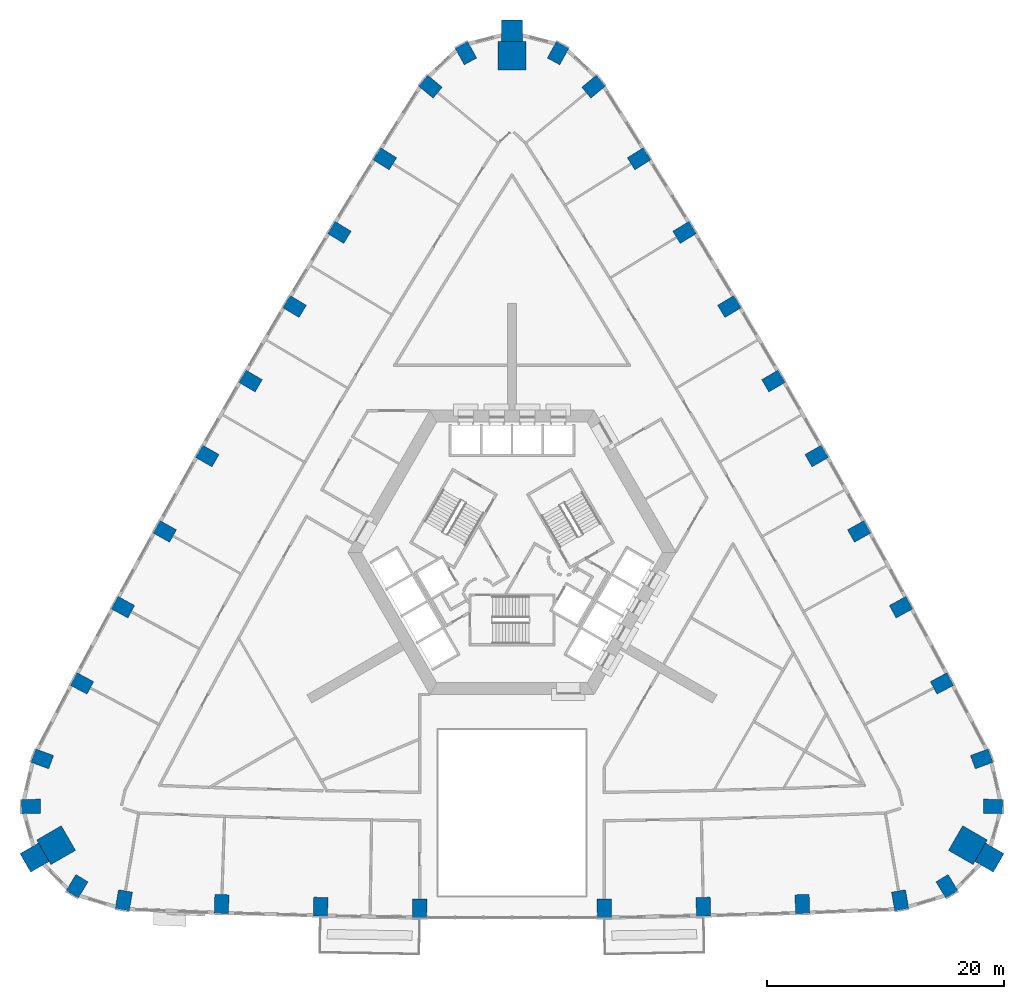
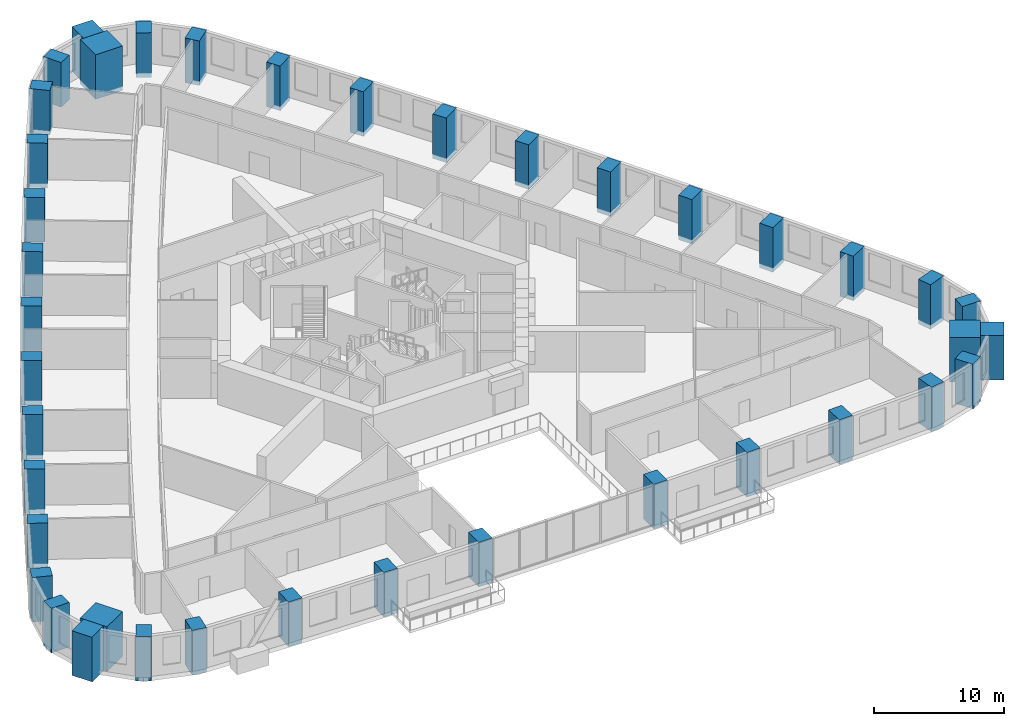
# One storey, part 1 of 15: 40 columns.
"""IFC4 building model written with IfcOpenShell, lengths in metres."""

from ifc_helpers import new_model, si_unit, direction, frame, origin, origin_2d, place, context, subcontext, project, spatial, rectangle, extrude, material, material_profile, profile_set, type_object, element, save


model = new_model("IFC4")

# Units and contexts
model_context = context("Model", 3, precision=1e-05, world=origin(), true_north=direction((0.0, 1.0)))
body_context = subcontext(model_context, "Body", "Model", "MODEL_VIEW")
ifc_project = project(units=[si_unit("LENGTHUNIT", "METRE"), si_unit("AREAUNIT", "SQUARE_METRE"), si_unit("VOLUMEUNIT", "CUBIC_METRE"), si_unit("PLANEANGLEUNIT", "RADIAN"), si_unit("MASSUNIT", "GRAM", prefix="KILO")], contexts=[model_context])

# Site, building, storey
site_placement = place(None, origin())
site = spatial("IfcSite", under=ifc_project, at=site_placement, CompositionType="ELEMENT")
building_placement = place(site_placement, origin())
building = spatial("IfcBuilding", under=site, at=building_placement, Name="Entoto Arch Interchange Tower", CompositionType="ELEMENT")
storey_placement = place(building_placement, frame((0.0, 0.0, 39.199951171875)))
storey = spatial("IfcBuildingStorey", under=building, at=storey_placement, Name="L07", CompositionType="ELEMENT", Elevation=39.199951171875)

# Columns
ifc_material_1 = material(Name="Concrete C60/75", Category="concrete")
ifc_material_profile_1 = material_profile(ifc_material_1, rectangle(XDim=1.199951171875, YDim=1.60009765625, at=origin_2d()))
ifc_profile_set_1 = profile_set([ifc_material_profile_1], Name="Concrete C60/75")
column_type_1 = type_object("IfcColumnType", Name="Column RC 1200x1600 C60/75", PredefinedType="COLUMN", material=ifc_profile_set_1)
for number, where, z_axis, x_axis, name in (
    (1, (-32.760986328125, -26.87109375, -0.39990234375), (0.0, 0.0, 1.0), (-0.98600476771, 0.166717119856, 0.0), "Column S01 L07"),
    (2, (-24.510009765625, -27.18798828125, -0.39990234375), (0.0, 0.0, 1.0), (-0.999434480961, 0.033626154508, 0.0), "Column S02 L07"),
    (3, (-16.14990234375, -27.4208984375, -0.39990234375), (0.0, 0.0, 1.0), (-0.99975435134, 0.022163866481, 0.0), "Column S03 L07"),
    (4, (-7.79296875, -27.55810546875, -0.39990234375), (0.0, 0.0, 1.0), (-0.999966355195, 0.008202955488, 0.0), "Column S04 L07"),
    (5, (7.79296875, -27.55810546875, -0.39990234375), (0.0, 0.0, 1.0), (0.999966355195, 0.008202955488, 0.0), "Column S05 L07"),
    (6, (16.14990234375, -27.4208984375, -0.39990234375), (0.0, 0.0, 1.0), (0.99975435134, 0.022163866481, 0.0), "Column S06 L07"),
    (7, (24.510009765625, -27.18798828125, -0.39990234375), (0.0, 0.0, 1.0), (0.999434480961, 0.033626154508, 0.0), "Column S07 L07"),
    (8, (32.760986328125, -26.87109375, -0.39990234375), (0.0, 0.0, 1.0), (0.98600476771, 0.166717119856, 0.0), "Column S08 L07"),
    (9, (36.7119140625, -25.68798828125, -0.39990234375), (0.0, 0.0, 1.0), (0.854522294989, 0.519414716163, 0.0), "Column SE1 L07"),
    (10, (40.60302734375, -18.949951171875, -0.39990234375), (0.0, 0.0, 1.0), (0.022565191802, 0.999745373642, 0.0), "Column SE3 L07"),
    (11, (39.64990234375, -14.93603515625, -0.39990234375), (0.0, 0.0, 1.0), (-0.348277574304, 0.937391450375, 0.0), "Column NE01 L07"),
    (12, (36.298095703125, -8.56689453125, -0.39990234375), (0.0, 0.0, 1.0), (-0.46931745221, 0.883029517656, 0.0), "Column NE02 L07"),
    (13, (32.8369140625, -2.132080078125, -0.39990234375), (0.0, 0.0, 1.0), (-0.478140110514, 0.878283573066, 0.0), "Column NE03 L07"),
    (14, (29.31103515625, 4.26708984375, -0.39990234375), (0.0, 0.0, 1.0), (-0.486914781103, 0.873449481048, 0.0), "Column NE04 L07"),
    (15, (25.720947265625, 10.632080078125, -0.39990234375), (0.0, 0.0, 1.0), (-0.495655741916, 0.868519076074, 0.0), "Column NE05 L07"),
    (16, (22.068115234375, 16.958984375, -0.39990234375), (0.0, 0.0, 1.0), (-0.504331712594, 0.863510002068, 0.0), "Column NE06 L07"),
    (17, (18.35009765625, 23.25, -0.39990234375), (0.0, 0.0, 1.0), (-0.512972048958, 0.858405310438, 0.0), "Column NE07 L07"),
    (18, (14.571044921875, 29.50390625, -0.39990234375), (0.0, 0.0, 1.0), (-0.521545830745, 0.853223268806, 0.0), "Column NE08 L07"),
    (19, (10.72900390625, 35.718994140625, -0.39990234375), (0.0, 0.0, 1.0), (-0.530067268476, 0.847955594881, 0.0), "Column NE09 L07"),
    (20, (6.889892578125, 41.805908203125, -0.39990234375), (0.0, 0.0, 1.0), (-0.637666022163, 0.770312952103, 0.0), "Column NE10 L07"),
    (21, (3.89111328125, 44.637939453125, -0.39990234375), (0.0, 0.0, 1.0), (-0.877079103306, 0.48034596547, 0.0), "Column N1 L07"),
    (22, (-3.89111328125, 44.637939453125, -0.39990234375), (0.0, 0.0, 1.0), (0.877079103306, 0.48034596547, 0.0), "Column N3 L07"),
    (23, (-6.889892578125, 41.805908203125, -0.39990234375), (0.0, 0.0, 1.0), (0.637666022163, 0.770312952103, 0.0), "Column NW01 L07"),
    (24, (-10.72900390625, 35.718994140625, -0.39990234375), (0.0, 0.0, 1.0), (0.530067268476, 0.847955594881, 0.0), "Column NW02 L07"),
    (25, (-14.571044921875, 29.50390625, -0.39990234375), (0.0, 0.0, 1.0), (0.521545830745, 0.853223268806, 0.0), "Column NW03 L07"),
    (26, (-18.35009765625, 23.25, -0.39990234375), (0.0, 0.0, 1.0), (0.512972048958, 0.858405310438, 0.0), "Column NW04 L07"),
    (27, (-22.068115234375, 16.958984375, -0.39990234375), (0.0, 0.0, 1.0), (0.504331712594, 0.863510002068, 0.0), "Column NW05 L07"),
    (28, (-25.720947265625, 10.632080078125, -0.39990234375), (0.0, 0.0, 1.0), (0.495655741916, 0.868519076074, 0.0), "Column NW06 L07"),
    (29, (-29.31103515625, 4.26708984375, -0.39990234375), (0.0, 0.0, 1.0), (0.486914781103, 0.873449481048, 0.0), "Column NW07 L07"),
    (30, (-32.8369140625, -2.132080078125, -0.39990234375), (0.0, 0.0, 1.0), (0.478140110514, 0.878283573066, 0.0), "Column NW08 L07"),
    (31, (-36.298095703125, -8.56689453125, -0.39990234375), (0.0, 0.0, 1.0), (0.46931745221, 0.883029517656, 0.0), "Column NW09 L07"),
    (32, (-39.64990234375, -14.93603515625, -0.39990234375), (0.0, 0.0, 1.0), (0.348277574304, 0.937391450375, 0.0), "Column NW10 L07"),
    (33, (-40.60302734375, -18.949951171875, -0.39990234375), (0.0, 0.0, 1.0), (-0.022565191802, 0.999745373642, 0.0), "Column SW1 L07"),
    (34, (-36.7119140625, -25.68798828125, -0.39990234375), (0.0, 0.0, 1.0), (-0.854522294989, 0.519414716163, 0.0), "Column SW3 L07"),
):
    element("IfcColumn", number, at=place(storey_placement, frame(where, z_axis=z_axis, x_axis=x_axis)), inside=storey, type_object=column_type_1, Name=name, PredefinedType="COLUMN", context=body_context, shape_type="SweptSolid", body=[
        extrude(rectangle(XDim=1.199951171875, YDim=1.60009765625, at=origin_2d()), origin(), (0.0, 0.0, 1.0), 4.199951171875),
    ])
ifc_material_2 = material(Name="Precast concrete C40/50", Category="concrete")
ifc_material_profile_2 = material_profile(ifc_material_2, rectangle(XDim=1.800048828125, YDim=1.800048828125, at=origin_2d()))
ifc_profile_set_2 = profile_set([ifc_material_profile_2], Name="Precast concrete C40/50")
column_type_2 = type_object("IfcColumnType", Name="Frame post RC 1800x1800 precast C40/50", PredefinedType="COLUMN", material=ifc_profile_set_2)
for number, where, z_axis, x_axis, name in (
    (35, (40.299072265625, -23.26708984375, -0.39990234375), (0.0, 0.0, 1.0), (-0.866025403784, 0.5, 0.0), "Frame post SE L07"),
    (36, (0.0, 46.532958984375, -0.39990234375), (0.0, 0.0, 1.0), (0.0, 1.0, 0.0), "Frame post N L07"),
    (37, (-40.299072265625, -23.26708984375, -0.39990234375), (0.0, 0.0, 1.0), (0.866025403784, 0.5, 0.0), "Frame post SW L07"),
):
    element("IfcColumn", number, at=place(storey_placement, frame(where, z_axis=z_axis, x_axis=x_axis)), inside=storey, type_object=column_type_2, Name=name, PredefinedType="COLUMN", context=body_context, shape_type="SweptSolid", body=[
        extrude(rectangle(XDim=1.800048828125, YDim=1.800048828125, at=origin_2d()), origin(), (0.0, 0.0, 1.0), 4.199951171875),
    ])
ifc_material_profile_3 = material_profile(ifc_material_1, rectangle(XDim=2.39990234375, YDim=2.39990234375, at=origin_2d()))
ifc_profile_set_3 = profile_set([ifc_material_profile_3], Name="Concrete C60/75")
column_type_3 = type_object("IfcColumnType", Name="Mega column RC 2400x2400 C60/75", PredefinedType="COLUMN", material=ifc_profile_set_3)
for number, where, z_axis, x_axis, name in (
    (38, (38.47998046875, -22.217041015625, -0.39990234375), (0.0, 0.0, 1.0), (-0.866025403784, 0.5, 0.0), "Corner mega column SE2 L07"),
    (39, (0.0, 44.43310546875, -0.39990234375), (0.0, 0.0, 1.0), (0.0, 1.0, 0.0), "Corner mega column N2 L07"),
    (40, (-38.47998046875, -22.217041015625, -0.39990234375), (0.0, 0.0, 1.0), (0.866025403784, 0.5, 0.0), "Corner mega column SW2 L07"),
):
    element("IfcColumn", number, at=place(storey_placement, frame(where, z_axis=z_axis, x_axis=x_axis)), inside=storey, type_object=column_type_3, Name=name, PredefinedType="COLUMN", context=body_context, shape_type="SweptSolid", body=[
        extrude(rectangle(XDim=2.39990234375, YDim=2.39990234375, at=origin_2d()), origin(), (0.0, 0.0, 1.0), 4.199951171875),
    ])

save(model, "model.ifc")
